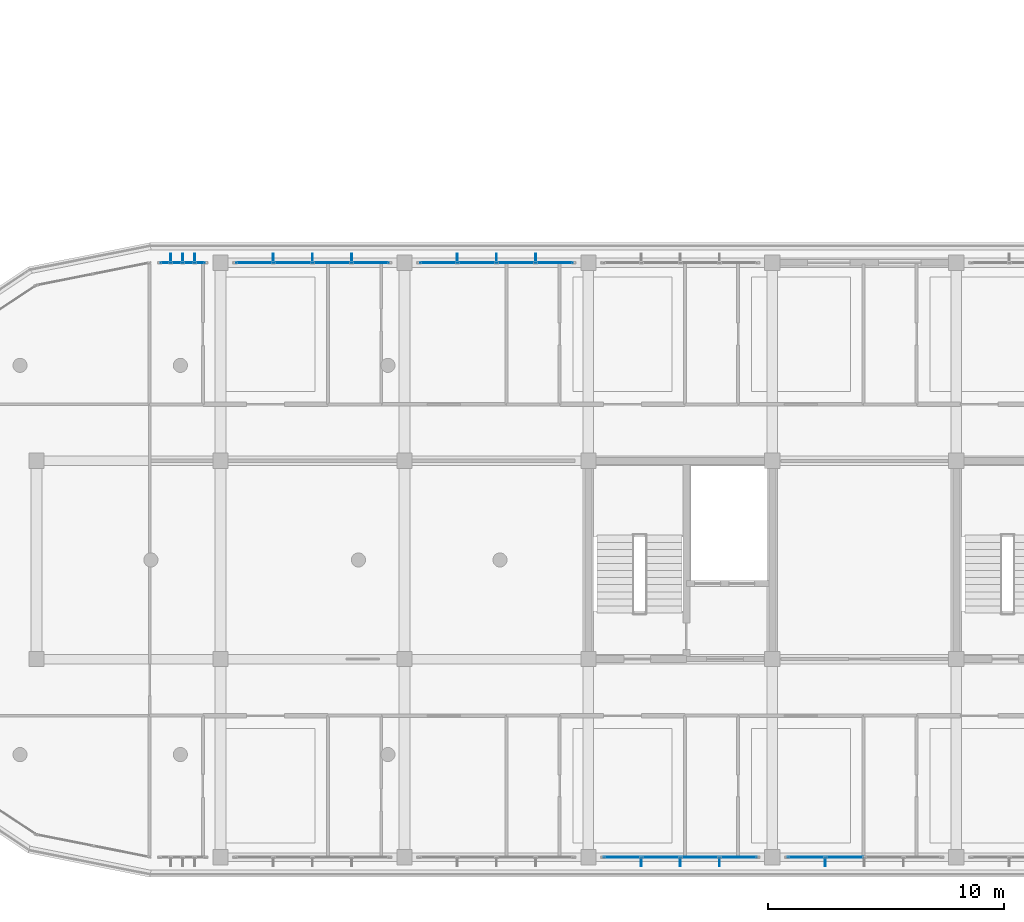
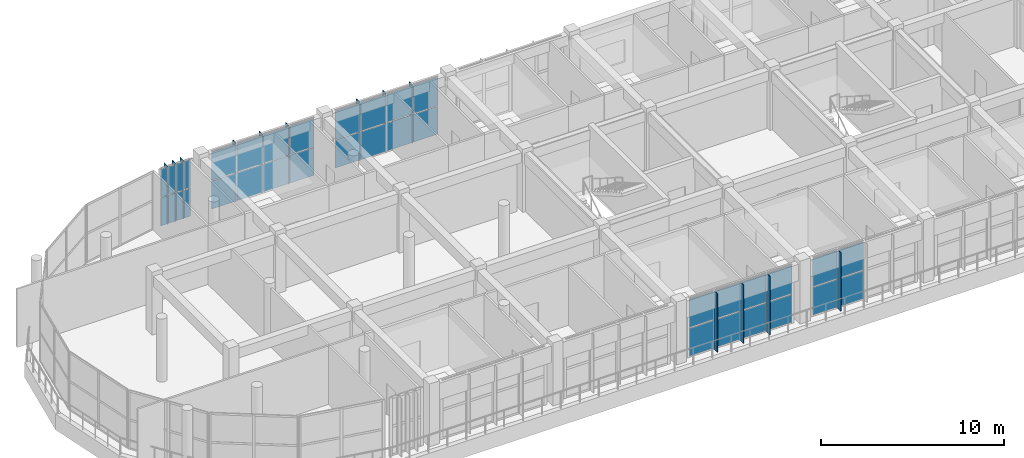
# One storey, part 39 of 63: 49 plates, 5 elements without a shape of their own.
"""IFC4 building model written with IfcOpenShell, lengths in metres."""

import ifcopenshell
import ifcopenshell.guid

model = None  # the IFC model being written
_history = None  # IfcOwnerHistory: only IFC2X3 demands one
_inside = {}  # id of a spatial element -> (the spatial element, [elements in it])
_under = {}  # id of a project, library or spatial element -> (it, [spatial elements below it])
_declared = {}  # id of a project -> (the project, [libraries it declares])
_typed = {}  # id of a type object -> (the type object, [elements of that type])
_made_of = {}  # id of a material, layer set ... -> (it, [elements and type objects made of it])


def new_model(schema):
    """Start an empty IFC model of exactly this schema.

    Asked for "IFC4X3", IfcOpenShell would pick the latest addendum, in which some entities
    have other attributes; the version numbers below select the first issue.
    IFC2X3 requires an IfcOwnerHistory on every rooted entity: one is made here for all.
    """
    global model, _history
    if schema == "IFC4X3":
        model = ifcopenshell.file(schema_version=(4, 3, 0, 0))
    else:
        model = ifcopenshell.file(schema=schema)
    _inside.clear()
    _under.clear()
    _declared.clear()
    _typed.clear()
    _made_of.clear()
    _history = None
    if model.schema == "IFC2X3":
        org = make("IfcOrganization", Name="unknown")
        user = make(
            "IfcPersonAndOrganization",
            ThePerson=make("IfcPerson", FamilyName="unknown"),
            TheOrganization=org,
        )
        app = make(
            "IfcApplication",
            ApplicationDeveloper=org,
            Version="unknown",
            ApplicationFullName="unknown",
            ApplicationIdentifier="unknown",
        )
        _history = make(
            "IfcOwnerHistory",
            OwningUser=user,
            OwningApplication=app,
            ChangeAction="ADDED",
            CreationDate=0,
        )
    return model


def make(cls, **values):
    """One entity of the class cls with the attributes given. An attribute that is None is left unset."""
    return model.create_entity(
        cls, **{name: value for name, value in values.items() if value is not None}
    )


def rooted(cls, **values):
    """An entity with a GlobalId (a new one), such as an element, a storey or a relation."""
    return make(cls, GlobalId=ifcopenshell.guid.new(), OwnerHistory=_history, **values)


def si_unit(unit_type, name, prefix=None):
    """IfcSIUnit, for example si_unit("LENGTHUNIT", "METRE", prefix="MILLI")."""
    return make("IfcSIUnit", UnitType=unit_type, Prefix=prefix, Name=name)


def assignment(units):
    """IfcUnitAssignment: the units of a project."""
    return None if units is None else make("IfcUnitAssignment", Units=units)


def point(xyz):
    """IfcCartesianPoint."""
    return None if xyz is None else make("IfcCartesianPoint", Coordinates=xyz)


def direction(xyz):
    """IfcDirection."""
    return None if xyz is None else make("IfcDirection", DirectionRatios=xyz)


def frame(location, z_axis=None, x_axis=None):
    """IfcAxis2Placement3D, a coordinate frame: its origin and axes. An axis left out is left unset."""
    return make(
        "IfcAxis2Placement3D",
        Location=point(location),
        Axis=direction(z_axis),
        RefDirection=direction(x_axis),
    )


def frame_2d(location, x_axis=None):
    """IfcAxis2Placement2D, a coordinate frame in the plane: its origin and x axis."""
    return make(
        "IfcAxis2Placement2D", Location=point(location), RefDirection=direction(x_axis)
    )


def origin():
    """The frame at (0, 0, 0) with its axes left unset."""
    return frame((0.0, 0.0, 0.0))


def origin_2d():
    """The frame at (0, 0) in the plane with its x axis left unset."""
    return frame_2d((0.0, 0.0))


def place(relative_to, where):
    """IfcLocalPlacement: puts the frame where relative to a parent placement (None: the world)."""
    return make(
        "IfcLocalPlacement", PlacementRelTo=relative_to, RelativePlacement=where
    )


def context(
    kind, dimensions, precision=None, world=None, true_north=None, identifier=None
):
    """IfcGeometricRepresentationContext, for example the 3D "Model" context."""
    return make(
        "IfcGeometricRepresentationContext",
        ContextIdentifier=identifier,
        ContextType=kind,
        CoordinateSpaceDimension=dimensions,
        Precision=precision,
        WorldCoordinateSystem=world,
        TrueNorth=true_north,
    )


def subcontext(parent, identifier, kind, view, scale=None):
    """IfcGeometricRepresentationSubContext, for example "Body" below "Model"."""
    return make(
        "IfcGeometricRepresentationSubContext",
        ContextIdentifier=identifier,
        ContextType=kind,
        ParentContext=parent,
        TargetScale=scale,
        TargetView=view,
    )


def project(units=None, contexts=None):
    """IfcProject with its units and contexts."""
    return rooted(
        "IfcProject",
        Name="project",
        RepresentationContexts=contexts,
        UnitsInContext=assignment(units),
    )


def spatial(cls, under=None, at=None, **own):
    """A site, building, storey or space (cls), placed at a placement, below another one or the project."""
    s = rooted(cls, ObjectPlacement=at, **own)
    if under is not None:
        _under.setdefault(under.id(), (under, []))[1].append(s)
    return s


def polyline(points):
    """IfcPolyline through the points."""
    return make("IfcPolyline", Points=[point(p) for p in points])


def profile(cls, at=None, kind="AREA", **sizes):
    """A parametric profile (cls). Its sizes go by their IFC names, for example OverallWidth=200.0."""
    return make(cls, ProfileType=kind, Position=at, **sizes)


def rectangle(**sizes):
    """IfcRectangleProfileDef."""
    return profile("IfcRectangleProfileDef", **sizes)


def outline(outer, holes=None, kind="AREA"):
    """IfcArbitraryClosedProfileDef: a profile drawn as a closed curve; with holes, ...WithVoids."""
    if holes is None:
        return make("IfcArbitraryClosedProfileDef", ProfileType=kind, OuterCurve=outer)
    return make(
        "IfcArbitraryProfileDefWithVoids",
        ProfileType=kind,
        OuterCurve=outer,
        InnerCurves=holes,
    )


def extrude(swept, where, along, depth):
    """IfcExtrudedAreaSolid: the profile swept, set in the frame where, extruded along a direction by depth."""
    return make(
        "IfcExtrudedAreaSolid",
        SweptArea=swept,
        Position=where,
        ExtrudedDirection=direction(along),
        Depth=depth,
    )


def shape(context_of_items, identifier, shape_type, items):
    """IfcShapeRepresentation: the items that make up one representation, for example the "Body"."""
    return make(
        "IfcShapeRepresentation",
        ContextOfItems=context_of_items,
        RepresentationIdentifier=identifier,
        RepresentationType=shape_type,
        Items=items,
    )


def material(Name=None, Category=None):
    """IfcMaterial."""
    return make("IfcMaterial", Name=Name, Category=Category)


def layer(
    of_material, thickness, ventilated=None, Name=None, Category=None, Priority=None
):
    """IfcMaterialLayer: one layer of a wall or slab, of a material (None: an air gap)."""
    return make(
        "IfcMaterialLayer",
        Material=of_material,
        LayerThickness=thickness,
        IsVentilated=ventilated,
        Name=Name,
        Category=Category,
        Priority=Priority,
    )


def layer_set(layers, Name=None):
    """IfcMaterialLayerSet."""
    return make("IfcMaterialLayerSet", MaterialLayers=layers, LayerSetName=Name)


def made_of(thing, what):
    """Note that an element or type object is made of a material, layer set ...; save() writes the relation."""
    if what is not None:
        _made_of.setdefault(what.id(), (what, []))[1].append(thing)
    return thing


def type_object(cls, material=None, **own):
    """A type object (cls), such as IfcWallType, which elements share."""
    return made_of(rooted(cls, **own), material)


def element(
    cls,
    number,
    at=None,
    inside=None,
    cuts=None,
    type_object=None,
    material=None,
    context=None,
    identifier="Body",
    shape_type=None,
    held_by="IfcProductDefinitionShape",
    body=None,
    shapes=None,
    **own,
):
    """One element of the class cls, such as IfcWall. Its Tag is "e" and its number.

    at: its placement. inside: the storey or other place that contains it. cuts: it is an
    opening in that element (IfcRelVoidsElement). A single representation is given by context,
    identifier, shape_type and body (its items); several are given by shapes. held_by: the class
    of the entity that holds the representations. save() writes the other relations.
    """
    e = rooted(cls, Tag="e%d" % number, ObjectPlacement=at, **own)
    if body is not None:
        shapes = [shape(context, identifier, shape_type, body)]
    if shapes is not None:
        e.Representation = make(held_by, Representations=shapes)
    if inside is not None:
        _inside.setdefault(inside.id(), (inside, []))[1].append(e)
    if cuts is not None:
        rooted(
            "IfcRelVoidsElement", RelatingBuildingElement=cuts, RelatedOpeningElement=e
        )
    if type_object is not None:
        _typed.setdefault(type_object.id(), (type_object, []))[1].append(e)
    return made_of(e, material)


def aggregate(whole, parts):
    """IfcRelAggregates: a whole, such as a stair, and the parts it consists of."""
    return rooted("IfcRelAggregates", RelatingObject=whole, RelatedObjects=parts)


def save(model, path):
    """Write the relations noted so far, then the file.

    IfcRelAggregates (storeys below a building ...), IfcRelContainedInSpatialStructure (elements
    in a storey), IfcRelDefinesByType, IfcRelAssociatesMaterial and IfcRelDeclares: one each for
    every whole, place, type object, material and project.
    """
    for whole, parts in _under.values():
        aggregate(whole, parts)
    for where, things in _inside.values():
        rooted(
            "IfcRelContainedInSpatialStructure",
            RelatedElements=things,
            RelatingStructure=where,
        )
    for kind, things in _typed.values():
        rooted("IfcRelDefinesByType", RelatedObjects=things, RelatingType=kind)
    for what, things in _made_of.values():
        rooted("IfcRelAssociatesMaterial", RelatedObjects=things, RelatingMaterial=what)
    for by, libraries in _declared.values():
        rooted("IfcRelDeclares", RelatingContext=by, RelatedDefinitions=libraries)
    model.write(path)


model = new_model("IFC4")

# Units and contexts
model_context = context("Model", 3, precision=1e-05, world=origin(), true_north=direction((0.0, 1.0)))
body_context = subcontext(model_context, "Body", "Model", "MODEL_VIEW")
ifc_project = project(units=[si_unit("LENGTHUNIT", "METRE"), si_unit("AREAUNIT", "SQUARE_METRE"), si_unit("VOLUMEUNIT", "CUBIC_METRE"), si_unit("PLANEANGLEUNIT", "RADIAN"), si_unit("MASSUNIT", "GRAM", prefix="KILO")], contexts=[model_context])

# Site, building, storey
site_placement = place(None, origin())
site = spatial("IfcSite", under=ifc_project, at=site_placement, CompositionType="ELEMENT")
building_placement = place(site_placement, origin())
building = spatial("IfcBuilding", under=site, at=building_placement, Name="Zizhar Promenade General Hospital", CompositionType="ELEMENT")
storey_placement = place(building_placement, frame((0.0, 0.0, 18.0)))
storey = spatial("IfcBuildingStorey", under=building, at=storey_placement, Name="L04", CompositionType="ELEMENT", Elevation=18.0)

# Curtain wall, plates
ifc_material_1 = material(Name="Anodised aluminium 6063-T6 and low-E glass", Category="aluminium")
ifc_layer_1 = layer(ifc_material_1, 0.159912109375)
ifc_layer_set_1 = layer_set([ifc_layer_1], Name="Anodised aluminium 6063-T6 and low-E glass")
curtain_wall_type = type_object("IfcCurtainWallType", Name="CW-WARD-RIB", PredefinedType="NOTDEFINED", material=ifc_layer_set_1)
curtain_wall_1_placement = place(storey_placement, origin())
curtain_wall_1 = element("IfcCurtainWall", 1, at=curtain_wall_1_placement, inside=storey, type_object=curtain_wall_type, Name="Ward Ribbon Curtain Wall L04-8-0", PredefinedType="NOTDEFINED")
ifc_material_2 = material(Name="Low-E solar-control glass", Category="glass")
ifc_layer_2 = layer(ifc_material_2, 0.031982421875)
ifc_layer_set_2 = layer_set([ifc_layer_2], Name="Low-E solar-control glass")
plate_type_1 = type_object("IfcPlateType", Name="CWP-GLZ-32", PredefinedType="CURTAIN_PANEL", material=ifc_layer_set_2)
plate_1_placement = place(storey_placement, frame((28.85498046875, 25.199951171875, 0.06005859375), z_axis=(0.0, 0.0, 1.0), x_axis=(1.0, 0.0, 0.0)))
plate_1 = element("IfcPlate", 2, at=plate_1_placement, type_object=plate_type_1, Name="CW-13 panel 1.1", PredefinedType="CURTAIN_PANEL", context=body_context, shape_type="SweptSolid", body=[
    extrude(rectangle(XDim=0.389892578125, YDim=0.031982421875, at=origin_2d()), origin(), (0.0, 0.0, 1.0), 1.860107421875),
])
plate_2_placement = place(storey_placement, frame((28.85498046875, 25.199951171875, 1.97998046875), z_axis=(0.0, 0.0, 1.0), x_axis=(1.0, 0.0, 0.0)))
plate_2 = element("IfcPlate", 3, at=plate_2_placement, type_object=plate_type_1, Name="CW-13 panel 1.2", PredefinedType="CURTAIN_PANEL", context=body_context, shape_type="SweptSolid", body=[
    extrude(rectangle(XDim=0.389892578125, YDim=0.031982421875, at=origin_2d()), origin(), (0.0, 0.0, 1.0), 1.860107421875),
])
plate_3_placement = place(storey_placement, frame((29.344970703125, 25.199951171875, 0.06005859375), z_axis=(0.0, 0.0, 1.0), x_axis=(1.0, 0.0, 0.0)))
plate_3 = element("IfcPlate", 4, at=plate_3_placement, type_object=plate_type_1, Name="CW-13 panel 2.1", PredefinedType="CURTAIN_PANEL", context=body_context, shape_type="SweptSolid", body=[
    extrude(rectangle(XDim=0.429931640625, YDim=0.031982421875, at=origin_2d()), origin(), (0.0, 0.0, 1.0), 1.860107421875),
])
plate_4_placement = place(storey_placement, frame((29.344970703125, 25.199951171875, 1.97998046875), z_axis=(0.0, 0.0, 1.0), x_axis=(1.0, 0.0, 0.0)))
plate_4 = element("IfcPlate", 5, at=plate_4_placement, type_object=plate_type_1, Name="CW-13 panel 2.2", PredefinedType="CURTAIN_PANEL", context=body_context, shape_type="SweptSolid", body=[
    extrude(rectangle(XDim=0.429931640625, YDim=0.031982421875, at=origin_2d()), origin(), (0.0, 0.0, 1.0), 1.860107421875),
])
plate_5_placement = place(storey_placement, frame((29.85498046875, 25.199951171875, 0.06005859375), z_axis=(0.0, 0.0, 1.0), x_axis=(1.0, 0.0, 0.0)))
plate_5 = element("IfcPlate", 6, at=plate_5_placement, type_object=plate_type_1, Name="CW-13 panel 3.1", PredefinedType="CURTAIN_PANEL", context=body_context, shape_type="SweptSolid", body=[
    extrude(rectangle(XDim=0.429931640625, YDim=0.031982421875, at=origin_2d()), origin(), (0.0, 0.0, 1.0), 1.860107421875),
])
plate_6_placement = place(storey_placement, frame((29.85498046875, 25.199951171875, 1.97998046875), z_axis=(0.0, 0.0, 1.0), x_axis=(1.0, 0.0, 0.0)))
plate_6 = element("IfcPlate", 7, at=plate_6_placement, type_object=plate_type_1, Name="CW-13 panel 3.2", PredefinedType="CURTAIN_PANEL", context=body_context, shape_type="SweptSolid", body=[
    extrude(rectangle(XDim=0.429931640625, YDim=0.031982421875, at=origin_2d()), origin(), (0.0, 0.0, 1.0), 1.860107421875),
])
plate_7_placement = place(storey_placement, frame((30.344970703125, 25.199951171875, 0.06005859375), z_axis=(0.0, 0.0, 1.0), x_axis=(1.0, 0.0, 0.0)))
plate_7 = element("IfcPlate", 8, at=plate_7_placement, type_object=plate_type_1, Name="CW-13 panel 4.1", PredefinedType="CURTAIN_PANEL", context=body_context, shape_type="SweptSolid", body=[
    extrude(rectangle(XDim=0.389892578125, YDim=0.031982421875, at=origin_2d()), origin(), (0.0, 0.0, 1.0), 1.860107421875),
])
plate_8_placement = place(storey_placement, frame((30.344970703125, 25.199951171875, 1.97998046875), z_axis=(0.0, 0.0, 1.0), x_axis=(1.0, 0.0, 0.0)))
plate_8 = element("IfcPlate", 9, at=plate_8_placement, type_object=plate_type_1, Name="CW-13 panel 4.2", PredefinedType="CURTAIN_PANEL", context=body_context, shape_type="SweptSolid", body=[
    extrude(rectangle(XDim=0.389892578125, YDim=0.031982421875, at=origin_2d()), origin(), (0.0, 0.0, 1.0), 1.860107421875),
])
aggregate(curtain_wall_1, [plate_1, plate_2, plate_3, plate_4, plate_5, plate_6, plate_7, plate_8])

curtain_wall_2_placement = place(storey_placement, origin())
curtain_wall_2 = element("IfcCurtainWall", 10, at=curtain_wall_2_placement, inside=storey, type_object=curtain_wall_type, Name="Ward Ribbon Curtain Wall L04-8-1", PredefinedType="NOTDEFINED")
plate_9_placement = place(storey_placement, frame((32.6298828125, 25.199951171875, 0.06005859375), z_axis=(0.0, 0.0, 1.0), x_axis=(1.0, 0.0, 0.0)))
plate_9 = element("IfcPlate", 11, at=plate_9_placement, type_object=plate_type_1, Name="CW-13 panel 1.1", PredefinedType="CURTAIN_PANEL", context=body_context, shape_type="SweptSolid", body=[
    extrude(rectangle(XDim=1.5400390625, YDim=0.031982421875, at=origin_2d()), origin(), (0.0, 0.0, 1.0), 1.860107421875),
])
plate_10_placement = place(storey_placement, frame((32.6298828125, 25.199951171875, 1.97998046875), z_axis=(0.0, 0.0, 1.0), x_axis=(1.0, 0.0, 0.0)))
plate_10 = element("IfcPlate", 12, at=plate_10_placement, type_object=plate_type_1, Name="CW-13 panel 1.2", PredefinedType="CURTAIN_PANEL", context=body_context, shape_type="SweptSolid", body=[
    extrude(rectangle(XDim=1.5400390625, YDim=0.031982421875, at=origin_2d()), origin(), (0.0, 0.0, 1.0), 1.860107421875),
])
plate_11_placement = place(storey_placement, frame((34.27001953125, 25.199951171875, 0.06005859375), z_axis=(0.0, 0.0, 1.0), x_axis=(1.0, 0.0, 0.0)))
plate_11 = element("IfcPlate", 13, at=plate_11_placement, type_object=plate_type_1, Name="CW-13 panel 2.1", PredefinedType="CURTAIN_PANEL", context=body_context, shape_type="SweptSolid", body=[
    extrude(rectangle(XDim=1.580078125, YDim=0.031982421875, at=origin_2d()), origin(), (0.0, 0.0, 1.0), 1.860107421875),
])
plate_12_placement = place(storey_placement, frame((34.27001953125, 25.199951171875, 1.97998046875), z_axis=(0.0, 0.0, 1.0), x_axis=(1.0, 0.0, 0.0)))
plate_12 = element("IfcPlate", 14, at=plate_12_placement, type_object=plate_type_1, Name="CW-13 panel 2.2", PredefinedType="CURTAIN_PANEL", context=body_context, shape_type="SweptSolid", body=[
    extrude(rectangle(XDim=1.580078125, YDim=0.031982421875, at=origin_2d()), origin(), (0.0, 0.0, 1.0), 1.860107421875),
])
plate_13_placement = place(storey_placement, frame((35.929931640625, 25.199951171875, 0.06005859375), z_axis=(0.0, 0.0, 1.0), x_axis=(1.0, 0.0, 0.0)))
plate_13 = element("IfcPlate", 15, at=plate_13_placement, type_object=plate_type_1, Name="CW-13 panel 3.1", PredefinedType="CURTAIN_PANEL", context=body_context, shape_type="SweptSolid", body=[
    extrude(rectangle(XDim=1.580078125, YDim=0.031982421875, at=origin_2d()), origin(), (0.0, 0.0, 1.0), 1.860107421875),
])
plate_14_placement = place(storey_placement, frame((35.929931640625, 25.199951171875, 1.97998046875), z_axis=(0.0, 0.0, 1.0), x_axis=(1.0, 0.0, 0.0)))
plate_14 = element("IfcPlate", 16, at=plate_14_placement, type_object=plate_type_1, Name="CW-13 panel 3.2", PredefinedType="CURTAIN_PANEL", context=body_context, shape_type="SweptSolid", body=[
    extrude(rectangle(XDim=1.580078125, YDim=0.031982421875, at=origin_2d()), origin(), (0.0, 0.0, 1.0), 1.860107421875),
])
plate_15_placement = place(storey_placement, frame((37.570068359375, 25.199951171875, 0.06005859375), z_axis=(0.0, 0.0, 1.0), x_axis=(1.0, 0.0, 0.0)))
plate_15 = element("IfcPlate", 17, at=plate_15_placement, type_object=plate_type_1, Name="CW-13 panel 4.1", PredefinedType="CURTAIN_PANEL", context=body_context, shape_type="SweptSolid", body=[
    extrude(rectangle(XDim=1.5400390625, YDim=0.031982421875, at=origin_2d()), origin(), (0.0, 0.0, 1.0), 1.860107421875),
])
plate_16_placement = place(storey_placement, frame((37.570068359375, 25.199951171875, 1.97998046875), z_axis=(0.0, 0.0, 1.0), x_axis=(1.0, 0.0, 0.0)))
plate_16 = element("IfcPlate", 18, at=plate_16_placement, type_object=plate_type_1, Name="CW-13 panel 4.2", PredefinedType="CURTAIN_PANEL", context=body_context, shape_type="SweptSolid", body=[
    extrude(rectangle(XDim=1.5400390625, YDim=0.031982421875, at=origin_2d()), origin(), (0.0, 0.0, 1.0), 1.860107421875),
])
aggregate(curtain_wall_2, [plate_9, plate_10, plate_11, plate_12, plate_13, plate_14, plate_15, plate_16])

curtain_wall_3_placement = place(storey_placement, origin())
curtain_wall_3 = element("IfcCurtainWall", 19, at=curtain_wall_3_placement, inside=storey, type_object=curtain_wall_type, Name="Ward Ribbon Curtain Wall L04-8-2", PredefinedType="NOTDEFINED")
plate_17_placement = place(storey_placement, frame((40.429931640625, 25.199951171875, 0.06005859375), z_axis=(0.0, 0.0, 1.0), x_axis=(1.0, 0.0, 0.0)))
plate_17 = element("IfcPlate", 20, at=plate_17_placement, type_object=plate_type_1, Name="CW-13 panel 1.1", PredefinedType="CURTAIN_PANEL", context=body_context, shape_type="SweptSolid", body=[
    extrude(rectangle(XDim=1.5400390625, YDim=0.031982421875, at=origin_2d()), origin(), (0.0, 0.0, 1.0), 1.860107421875),
])
plate_18_placement = place(storey_placement, frame((40.429931640625, 25.199951171875, 1.97998046875), z_axis=(0.0, 0.0, 1.0), x_axis=(1.0, 0.0, 0.0)))
plate_18 = element("IfcPlate", 21, at=plate_18_placement, type_object=plate_type_1, Name="CW-13 panel 1.2", PredefinedType="CURTAIN_PANEL", context=body_context, shape_type="SweptSolid", body=[
    extrude(rectangle(XDim=1.5400390625, YDim=0.031982421875, at=origin_2d()), origin(), (0.0, 0.0, 1.0), 1.860107421875),
])
plate_19_placement = place(storey_placement, frame((42.070068359375, 25.199951171875, 0.06005859375), z_axis=(0.0, 0.0, 1.0), x_axis=(1.0, 0.0, 0.0)))
plate_19 = element("IfcPlate", 22, at=plate_19_placement, type_object=plate_type_1, Name="CW-13 panel 2.1", PredefinedType="CURTAIN_PANEL", context=body_context, shape_type="SweptSolid", body=[
    extrude(rectangle(XDim=1.580078125, YDim=0.031982421875, at=origin_2d()), origin(), (0.0, 0.0, 1.0), 1.860107421875),
])
plate_20_placement = place(storey_placement, frame((42.070068359375, 25.199951171875, 1.97998046875), z_axis=(0.0, 0.0, 1.0), x_axis=(1.0, 0.0, 0.0)))
plate_20 = element("IfcPlate", 23, at=plate_20_placement, type_object=plate_type_1, Name="CW-13 panel 2.2", PredefinedType="CURTAIN_PANEL", context=body_context, shape_type="SweptSolid", body=[
    extrude(rectangle(XDim=1.580078125, YDim=0.031982421875, at=origin_2d()), origin(), (0.0, 0.0, 1.0), 1.860107421875),
])
plate_21_placement = place(storey_placement, frame((43.72998046875, 25.199951171875, 0.06005859375), z_axis=(0.0, 0.0, 1.0), x_axis=(1.0, 0.0, 0.0)))
plate_21 = element("IfcPlate", 24, at=plate_21_placement, type_object=plate_type_1, Name="CW-13 panel 3.1", PredefinedType="CURTAIN_PANEL", context=body_context, shape_type="SweptSolid", body=[
    extrude(rectangle(XDim=1.580078125, YDim=0.031982421875, at=origin_2d()), origin(), (0.0, 0.0, 1.0), 1.860107421875),
])
plate_22_placement = place(storey_placement, frame((43.72998046875, 25.199951171875, 1.97998046875), z_axis=(0.0, 0.0, 1.0), x_axis=(1.0, 0.0, 0.0)))
plate_22 = element("IfcPlate", 25, at=plate_22_placement, type_object=plate_type_1, Name="CW-13 panel 3.2", PredefinedType="CURTAIN_PANEL", context=body_context, shape_type="SweptSolid", body=[
    extrude(rectangle(XDim=1.580078125, YDim=0.031982421875, at=origin_2d()), origin(), (0.0, 0.0, 1.0), 1.860107421875),
])
plate_23_placement = place(storey_placement, frame((45.3701171875, 25.199951171875, 0.06005859375), z_axis=(0.0, 0.0, 1.0), x_axis=(1.0, 0.0, 0.0)))
plate_23 = element("IfcPlate", 26, at=plate_23_placement, type_object=plate_type_1, Name="CW-13 panel 4.1", PredefinedType="CURTAIN_PANEL", context=body_context, shape_type="SweptSolid", body=[
    extrude(rectangle(XDim=1.5400390625, YDim=0.031982421875, at=origin_2d()), origin(), (0.0, 0.0, 1.0), 1.860107421875),
])
plate_24_placement = place(storey_placement, frame((45.3701171875, 25.199951171875, 1.97998046875), z_axis=(0.0, 0.0, 1.0), x_axis=(1.0, 0.0, 0.0)))
plate_24 = element("IfcPlate", 27, at=plate_24_placement, type_object=plate_type_1, Name="CW-13 panel 4.2", PredefinedType="CURTAIN_PANEL", context=body_context, shape_type="SweptSolid", body=[
    extrude(rectangle(XDim=1.5400390625, YDim=0.031982421875, at=origin_2d()), origin(), (0.0, 0.0, 1.0), 1.860107421875),
])
aggregate(curtain_wall_3, [plate_17, plate_18, plate_19, plate_20, plate_21, plate_22, plate_23, plate_24])

curtain_wall_4_placement = place(storey_placement, origin())
curtain_wall_4 = element("IfcCurtainWall", 28, at=curtain_wall_4_placement, inside=storey, type_object=curtain_wall_type, Name="Ward Ribbon Curtain Wall L04-17-7", PredefinedType="NOTDEFINED")
plate_25_placement = place(storey_placement, frame((57.669921875, 0.0, 0.06005859375), z_axis=(0.0, 0.0, 1.0), x_axis=(-1.0, 0.0, 0.0)))
plate_25 = element("IfcPlate", 29, at=plate_25_placement, type_object=plate_type_1, Name="CW-13 panel 3.1", PredefinedType="CURTAIN_PANEL", context=body_context, shape_type="SweptSolid", body=[
    extrude(rectangle(XDim=1.580078125, YDim=0.031982421875, at=origin_2d()), origin(), (0.0, 0.0, 1.0), 1.860107421875),
])
plate_26_placement = place(storey_placement, frame((57.669921875, 0.0, 1.97998046875), z_axis=(0.0, 0.0, 1.0), x_axis=(-1.0, 0.0, 0.0)))
plate_26 = element("IfcPlate", 30, at=plate_26_placement, type_object=plate_type_1, Name="CW-13 panel 3.2", PredefinedType="CURTAIN_PANEL", context=body_context, shape_type="SweptSolid", body=[
    extrude(rectangle(XDim=1.580078125, YDim=0.031982421875, at=origin_2d()), origin(), (0.0, 0.0, 1.0), 1.860107421875),
])
plate_27_placement = place(storey_placement, frame((56.030029296875, 0.0, 0.06005859375), z_axis=(0.0, 0.0, 1.0), x_axis=(-1.0, 0.0, 0.0)))
plate_27 = element("IfcPlate", 31, at=plate_27_placement, type_object=plate_type_1, Name="CW-13 panel 4.1", PredefinedType="CURTAIN_PANEL", context=body_context, shape_type="SweptSolid", body=[
    extrude(rectangle(XDim=1.5400390625, YDim=0.031982421875, at=origin_2d()), origin(), (0.0, 0.0, 1.0), 1.860107421875),
])
plate_28_placement = place(storey_placement, frame((56.030029296875, 0.0, 1.97998046875), z_axis=(0.0, 0.0, 1.0), x_axis=(-1.0, 0.0, 0.0)))
plate_28 = element("IfcPlate", 32, at=plate_28_placement, type_object=plate_type_1, Name="CW-13 panel 4.2", PredefinedType="CURTAIN_PANEL", context=body_context, shape_type="SweptSolid", body=[
    extrude(rectangle(XDim=1.5400390625, YDim=0.031982421875, at=origin_2d()), origin(), (0.0, 0.0, 1.0), 1.860107421875),
])
aggregate(curtain_wall_4, [plate_25, plate_26, plate_27, plate_28])

curtain_wall_5_placement = place(storey_placement, origin())
curtain_wall_5 = element("IfcCurtainWall", 33, at=curtain_wall_5_placement, inside=storey, type_object=curtain_wall_type, Name="Ward Ribbon Curtain Wall L04-17-8", PredefinedType="NOTDEFINED")
plate_29_placement = place(storey_placement, frame((53.169921875, 0.0, 0.06005859375), z_axis=(0.0, 0.0, 1.0), x_axis=(-1.0, 0.0, 0.0)))
plate_29 = element("IfcPlate", 34, at=plate_29_placement, type_object=plate_type_1, Name="CW-13 panel 1.1", PredefinedType="CURTAIN_PANEL", context=body_context, shape_type="SweptSolid", body=[
    extrude(rectangle(XDim=1.5400390625, YDim=0.031982421875, at=origin_2d()), origin(), (0.0, 0.0, 1.0), 1.860107421875),
])
plate_30_placement = place(storey_placement, frame((53.169921875, 0.0, 1.97998046875), z_axis=(0.0, 0.0, 1.0), x_axis=(-1.0, 0.0, 0.0)))
plate_30 = element("IfcPlate", 35, at=plate_30_placement, type_object=plate_type_1, Name="CW-13 panel 1.2", PredefinedType="CURTAIN_PANEL", context=body_context, shape_type="SweptSolid", body=[
    extrude(rectangle(XDim=1.5400390625, YDim=0.031982421875, at=origin_2d()), origin(), (0.0, 0.0, 1.0), 1.860107421875),
])
plate_31_placement = place(storey_placement, frame((51.530029296875, 0.0, 0.06005859375), z_axis=(0.0, 0.0, 1.0), x_axis=(-1.0, 0.0, 0.0)))
plate_31 = element("IfcPlate", 36, at=plate_31_placement, type_object=plate_type_1, Name="CW-13 panel 2.1", PredefinedType="CURTAIN_PANEL", context=body_context, shape_type="SweptSolid", body=[
    extrude(rectangle(XDim=1.580078125, YDim=0.031982421875, at=origin_2d()), origin(), (0.0, 0.0, 1.0), 1.860107421875),
])
plate_32_placement = place(storey_placement, frame((51.530029296875, 0.0, 1.97998046875), z_axis=(0.0, 0.0, 1.0), x_axis=(-1.0, 0.0, 0.0)))
plate_32 = element("IfcPlate", 37, at=plate_32_placement, type_object=plate_type_1, Name="CW-13 panel 2.2", PredefinedType="CURTAIN_PANEL", context=body_context, shape_type="SweptSolid", body=[
    extrude(rectangle(XDim=1.580078125, YDim=0.031982421875, at=origin_2d()), origin(), (0.0, 0.0, 1.0), 1.860107421875),
])
plate_33_placement = place(storey_placement, frame((49.8701171875, 0.0, 0.06005859375), z_axis=(0.0, 0.0, 1.0), x_axis=(-1.0, 0.0, 0.0)))
plate_33 = element("IfcPlate", 38, at=plate_33_placement, type_object=plate_type_1, Name="CW-13 panel 3.1", PredefinedType="CURTAIN_PANEL", context=body_context, shape_type="SweptSolid", body=[
    extrude(rectangle(XDim=1.580078125, YDim=0.031982421875, at=origin_2d()), origin(), (0.0, 0.0, 1.0), 1.860107421875),
])
plate_34_placement = place(storey_placement, frame((49.8701171875, 0.0, 1.97998046875), z_axis=(0.0, 0.0, 1.0), x_axis=(-1.0, 0.0, 0.0)))
plate_34 = element("IfcPlate", 39, at=plate_34_placement, type_object=plate_type_1, Name="CW-13 panel 3.2", PredefinedType="CURTAIN_PANEL", context=body_context, shape_type="SweptSolid", body=[
    extrude(rectangle(XDim=1.580078125, YDim=0.031982421875, at=origin_2d()), origin(), (0.0, 0.0, 1.0), 1.860107421875),
])
plate_35_placement = place(storey_placement, frame((48.22998046875, 0.0, 0.06005859375), z_axis=(0.0, 0.0, 1.0), x_axis=(-1.0, 0.0, 0.0)))
plate_35 = element("IfcPlate", 40, at=plate_35_placement, type_object=plate_type_1, Name="CW-13 panel 4.1", PredefinedType="CURTAIN_PANEL", context=body_context, shape_type="SweptSolid", body=[
    extrude(rectangle(XDim=1.5400390625, YDim=0.031982421875, at=origin_2d()), origin(), (0.0, 0.0, 1.0), 1.860107421875),
])
plate_36_placement = place(storey_placement, frame((48.22998046875, 0.0, 1.97998046875), z_axis=(0.0, 0.0, 1.0), x_axis=(-1.0, 0.0, 0.0)))
plate_36 = element("IfcPlate", 41, at=plate_36_placement, type_object=plate_type_1, Name="CW-13 panel 4.2", PredefinedType="CURTAIN_PANEL", context=body_context, shape_type="SweptSolid", body=[
    extrude(rectangle(XDim=1.5400390625, YDim=0.031982421875, at=origin_2d()), origin(), (0.0, 0.0, 1.0), 1.860107421875),
])
aggregate(curtain_wall_5, [plate_29, plate_30, plate_31, plate_32, plate_33, plate_34, plate_35, plate_36])

# Plates
ifc_material_3 = material(Name="Anodised aluminium 6063-T6", Category="aluminium")
ifc_layer_3 = layer(ifc_material_3, 0.035888671875)
ifc_layer_set_3 = layer_set([ifc_layer_3], Name="Anodised aluminium 6063-T6")
plate_type_2 = type_object("IfcPlateType", Name="FIN-ALU-380", PredefinedType="USERDEFINED", material=ifc_layer_set_3)
plate_37_placement = place(storey_placement, origin())
element("IfcPlate", 42, at=plate_37_placement, inside=storey, type_object=plate_type_2, Name="Ward Ribbon Curtain Wall L04-8-0 Solar Fin 1", ObjectType="SOLAR_SHADE", PredefinedType="USERDEFINED", context=body_context, shape_type="SweptSolid", body=[
    extrude(outline(polyline([(29.072021484375, 25.199951171875), (29.10791015625, 25.199951171875), (29.10791015625, 25.580078125), (29.072021484375, 25.580078125), (29.072021484375, 25.199951171875)])), origin(), (0.0, 0.0, 1.0), 3.89990234375),
])
plate_38_placement = place(storey_placement, origin())
element("IfcPlate", 43, at=plate_38_placement, inside=storey, type_object=plate_type_2, Name="Ward Ribbon Curtain Wall L04-8-0 Solar Fin 2", ObjectType="SOLAR_SHADE", PredefinedType="USERDEFINED", context=body_context, shape_type="SweptSolid", body=[
    extrude(outline(polyline([(29.58203125, 25.199951171875), (29.617919921875, 25.199951171875), (29.617919921875, 25.580078125), (29.58203125, 25.580078125), (29.58203125, 25.199951171875)])), origin(), (0.0, 0.0, 1.0), 3.89990234375),
])
plate_39_placement = place(storey_placement, origin())
element("IfcPlate", 44, at=plate_39_placement, inside=storey, type_object=plate_type_2, Name="Ward Ribbon Curtain Wall L04-8-0 Solar Fin 3", ObjectType="SOLAR_SHADE", PredefinedType="USERDEFINED", context=body_context, shape_type="SweptSolid", body=[
    extrude(outline(polyline([(30.092041015625, 25.199951171875), (30.1279296875, 25.199951171875), (30.1279296875, 25.580078125), (30.092041015625, 25.580078125), (30.092041015625, 25.199951171875)])), origin(), (0.0, 0.0, 1.0), 3.89990234375),
])
plate_40_placement = place(storey_placement, origin())
element("IfcPlate", 45, at=plate_40_placement, inside=storey, type_object=plate_type_2, Name="Ward Ribbon Curtain Wall L04-8-1 Solar Fin 1", ObjectType="SOLAR_SHADE", PredefinedType="USERDEFINED", context=body_context, shape_type="SweptSolid", body=[
    extrude(outline(polyline([(33.422119140625, 25.199951171875), (33.4580078125, 25.199951171875), (33.4580078125, 25.580078125), (33.422119140625, 25.580078125), (33.422119140625, 25.199951171875)])), origin(), (0.0, 0.0, 1.0), 3.89990234375),
])
plate_41_placement = place(storey_placement, origin())
element("IfcPlate", 46, at=plate_41_placement, inside=storey, type_object=plate_type_2, Name="Ward Ribbon Curtain Wall L04-8-1 Solar Fin 2", ObjectType="SOLAR_SHADE", PredefinedType="USERDEFINED", context=body_context, shape_type="SweptSolid", body=[
    extrude(outline(polyline([(35.08203125, 25.199951171875), (35.117919921875, 25.199951171875), (35.117919921875, 25.580078125), (35.08203125, 25.580078125), (35.08203125, 25.199951171875)])), origin(), (0.0, 0.0, 1.0), 3.89990234375),
])
plate_42_placement = place(storey_placement, origin())
element("IfcPlate", 47, at=plate_42_placement, inside=storey, type_object=plate_type_2, Name="Ward Ribbon Curtain Wall L04-8-1 Solar Fin 3", ObjectType="SOLAR_SHADE", PredefinedType="USERDEFINED", context=body_context, shape_type="SweptSolid", body=[
    extrude(outline(polyline([(36.741943359375, 25.199951171875), (36.778076171875, 25.199951171875), (36.778076171875, 25.580078125), (36.741943359375, 25.580078125), (36.741943359375, 25.199951171875)])), origin(), (0.0, 0.0, 1.0), 3.89990234375),
])
plate_43_placement = place(storey_placement, origin())
element("IfcPlate", 48, at=plate_43_placement, inside=storey, type_object=plate_type_2, Name="Ward Ribbon Curtain Wall L04-8-2 Solar Fin 1", ObjectType="SOLAR_SHADE", PredefinedType="USERDEFINED", context=body_context, shape_type="SweptSolid", body=[
    extrude(outline(polyline([(41.221923828125, 25.199951171875), (41.258056640625, 25.199951171875), (41.258056640625, 25.580078125), (41.221923828125, 25.580078125), (41.221923828125, 25.199951171875)])), origin(), (0.0, 0.0, 1.0), 3.89990234375),
])
plate_44_placement = place(storey_placement, origin())
element("IfcPlate", 49, at=plate_44_placement, inside=storey, type_object=plate_type_2, Name="Ward Ribbon Curtain Wall L04-8-2 Solar Fin 2", ObjectType="SOLAR_SHADE", PredefinedType="USERDEFINED", context=body_context, shape_type="SweptSolid", body=[
    extrude(outline(polyline([(42.882080078125, 25.199951171875), (42.91796875, 25.199951171875), (42.91796875, 25.580078125), (42.882080078125, 25.580078125), (42.882080078125, 25.199951171875)])), origin(), (0.0, 0.0, 1.0), 3.89990234375),
])
plate_45_placement = place(storey_placement, origin())
element("IfcPlate", 50, at=plate_45_placement, inside=storey, type_object=plate_type_2, Name="Ward Ribbon Curtain Wall L04-8-2 Solar Fin 3", ObjectType="SOLAR_SHADE", PredefinedType="USERDEFINED", context=body_context, shape_type="SweptSolid", body=[
    extrude(outline(polyline([(44.5419921875, 25.199951171875), (44.577880859375, 25.199951171875), (44.577880859375, 25.580078125), (44.5419921875, 25.580078125), (44.5419921875, 25.199951171875)])), origin(), (0.0, 0.0, 1.0), 3.89990234375),
])
plate_46_placement = place(storey_placement, origin())
element("IfcPlate", 51, at=plate_46_placement, inside=storey, type_object=plate_type_2, Name="Ward Ribbon Curtain Wall L04-17-7 Solar Fin 3", ObjectType="SOLAR_SHADE", PredefinedType="USERDEFINED", context=body_context, shape_type="SweptSolid", body=[
    extrude(outline(polyline([(56.85791015625, 0.0), (56.822021484375, 0.0), (56.822021484375, -0.3798828125), (56.85791015625, -0.3798828125), (56.85791015625, 0.0)])), origin(), (0.0, 0.0, 1.0), 3.89990234375),
])
plate_47_placement = place(storey_placement, origin())
element("IfcPlate", 52, at=plate_47_placement, inside=storey, type_object=plate_type_2, Name="Ward Ribbon Curtain Wall L04-17-8 Solar Fin 1", ObjectType="SOLAR_SHADE", PredefinedType="USERDEFINED", context=body_context, shape_type="SweptSolid", body=[
    extrude(outline(polyline([(52.3779296875, 0.0), (52.342041015625, 0.0), (52.342041015625, -0.3798828125), (52.3779296875, -0.3798828125), (52.3779296875, 0.0)])), origin(), (0.0, 0.0, 1.0), 3.89990234375),
])
plate_48_placement = place(storey_placement, origin())
element("IfcPlate", 53, at=plate_48_placement, inside=storey, type_object=plate_type_2, Name="Ward Ribbon Curtain Wall L04-17-8 Solar Fin 2", ObjectType="SOLAR_SHADE", PredefinedType="USERDEFINED", context=body_context, shape_type="SweptSolid", body=[
    extrude(outline(polyline([(50.718017578125, 0.0), (50.681884765625, 0.0), (50.681884765625, -0.3798828125), (50.718017578125, -0.3798828125), (50.718017578125, 0.0)])), origin(), (0.0, 0.0, 1.0), 3.89990234375),
])
plate_49_placement = place(storey_placement, origin())
element("IfcPlate", 54, at=plate_49_placement, inside=storey, type_object=plate_type_2, Name="Ward Ribbon Curtain Wall L04-17-8 Solar Fin 3", ObjectType="SOLAR_SHADE", PredefinedType="USERDEFINED", context=body_context, shape_type="SweptSolid", body=[
    extrude(outline(polyline([(49.05810546875, 0.0), (49.02197265625, 0.0), (49.02197265625, -0.3798828125), (49.05810546875, -0.3798828125), (49.05810546875, 0.0)])), origin(), (0.0, 0.0, 1.0), 3.89990234375),
])

save(model, "model.ifc")
